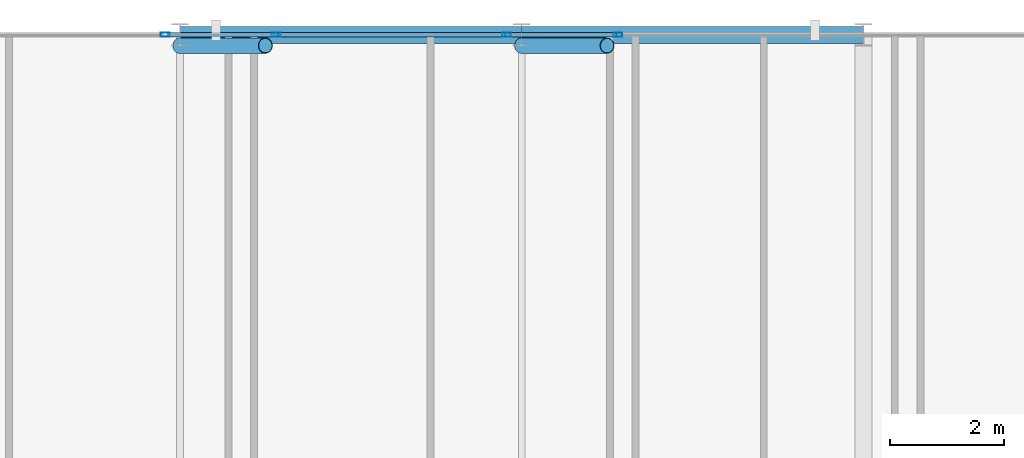
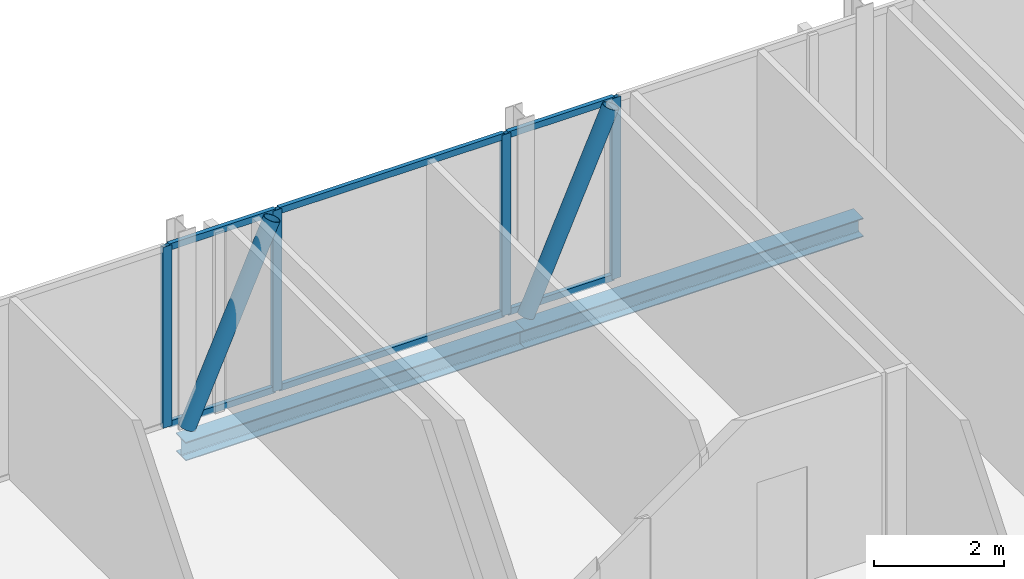
# One storey, part 17 of 28: 12 members, 2 beams, 4 elements without a shape of their own.
"""IFC4 building model written with IfcOpenShell, lengths in metres."""

from ifc_helpers import new_model, si_unit, direction, frame, origin, origin_2d, place, context, subcontext, project, spatial, hollow_rectangle, hollow_circle, i_section, extrude, material, layer, layer_set, material_profile, profile_set, type_object, element, aggregate, save


model = new_model("IFC4")

# Units and contexts
model_context = context("Model", 3, precision=1e-05, world=origin(), true_north=direction((0.0, 1.0)))
body_context = subcontext(model_context, "Body", "Model", "MODEL_VIEW")
ifc_project = project(units=[si_unit("LENGTHUNIT", "METRE"), si_unit("AREAUNIT", "SQUARE_METRE"), si_unit("VOLUMEUNIT", "CUBIC_METRE"), si_unit("PLANEANGLEUNIT", "RADIAN"), si_unit("MASSUNIT", "GRAM", prefix="KILO")], contexts=[model_context])

# Site, building, storey
site_placement = place(None, origin())
site = spatial("IfcSite", under=ifc_project, at=site_placement, CompositionType="ELEMENT")
building_placement = place(site_placement, origin())
building = spatial("IfcBuilding", under=site, at=building_placement, Name="Keshet Zoharim Tower", CompositionType="ELEMENT")
storey_placement = place(building_placement, frame((0.0, 0.0, 303.60009765625)))
storey = spatial("IfcBuildingStorey", under=building, at=storey_placement, Name="L76", CompositionType="ELEMENT", Elevation=303.60009765625)

# Beams
ifc_material_1 = material(Name="Steel S355", Category="steel")
ifc_material_profile_1 = material_profile(ifc_material_1, i_section(OverallWidth=0.300048828125, OverallDepth=0.35009765625, WebThickness=0.010009765625, FlangeThickness=0.017578125, FilletRadius=0.027099609375, at=origin_2d()), Name="HEA360")
ifc_profile_set_1 = profile_set([ifc_material_profile_1], Name="Steel S355")
beam_type = type_object("IfcBeamType", Name="BM-PRI-HA360", PredefinedType="BEAM", material=ifc_profile_set_1)
for number, where, z_axis, x_axis, name in (
    (1, (21.0, 53.89990234375, -0.485107421875), (1.0, 0.0, 0.0), (0.0, 1.0, 0.0), "L76 Primary Girder X-010"),
    (2, (27.0, 53.89990234375, -0.485107421875), (1.0, 0.0, 0.0), (0.0, 1.0, 0.0), "L76 Primary Girder X-011"),
):
    element("IfcBeam", number, at=place(storey_placement, frame(where, z_axis=z_axis, x_axis=x_axis)), inside=storey, type_object=beam_type, Name=name, PredefinedType="BEAM", context=body_context, shape_type="SweptSolid", body=[
        extrude(i_section(OverallWidth=0.300048828125, OverallDepth=0.35009765625, WebThickness=0.010009765625, FlangeThickness=0.017578125, FilletRadius=0.027099609375, at=origin_2d()), origin(), (0.0, 0.0, 1.0), 6.0),
    ])

# Curtain wall, member
ifc_material_2 = material(Name="Aluminium 6063-T6", Category="aluminium")
ifc_layer = layer(ifc_material_2, 0.260009765625)
ifc_layer_set = layer_set([ifc_layer], Name="Aluminium 6063-T6")
curtain_wall_type = type_object("IfcCurtainWallType", Name="CW-SYS-06", PredefinedType="NOTDEFINED", material=ifc_layer_set)
curtain_wall_1_placement = place(storey_placement, origin())
curtain_wall_1 = element("IfcCurtainWall", 3, at=curtain_wall_1_placement, inside=storey, type_object=curtain_wall_type, Name="L76 Unitised Curtain Wall 06", PredefinedType="NOTDEFINED")
ifc_material_profile_2 = material_profile(ifc_material_2, hollow_rectangle(XDim=0.074951171875, YDim=0.159912109375, WallThickness=0.00390625, at=origin_2d()), Name="MUL-75x160")
ifc_profile_set_2 = profile_set([ifc_material_profile_2], Name="Aluminium 6063-T6")
member_type_1 = type_object("IfcMemberType", Name="CWM-M15", PredefinedType="MULLION", material=ifc_profile_set_2)
member_1_placement = place(storey_placement, frame((20.740234375, 53.89990234375, 0.0), z_axis=(0.0, 0.0, 1.0), x_axis=(0.0, 1.0, 0.0)))
member_1 = element("IfcMember", 4, at=member_1_placement, type_object=member_type_1, Name="CW-06 mullion 2", PredefinedType="MULLION", context=body_context, shape_type="SweptSolid", body=[
    extrude(hollow_rectangle(XDim=0.074951171875, YDim=0.159912109375, WallThickness=0.00390625, at=origin_2d()), origin(), (0.0, 0.0, 1.0), 3.389892578125),
])
aggregate(curtain_wall_1, [member_1])

curtain_wall_2_placement = place(storey_placement, origin())
curtain_wall_2 = element("IfcCurtainWall", 5, at=curtain_wall_2_placement, inside=storey, type_object=curtain_wall_type, Name="L76 Unitised Curtain Wall 06 Part 2", PredefinedType="NOTDEFINED")
member_2_placement = place(storey_placement, frame((22.689697265625, 53.89990234375, 0.0), z_axis=(0.0, 0.0, 1.0), x_axis=(0.0, 1.0, 0.0)))
member_2 = element("IfcMember", 6, at=member_2_placement, type_object=member_type_1, Name="CW-06 mullion 2", PredefinedType="MULLION", context=body_context, shape_type="SweptSolid", body=[
    extrude(hollow_rectangle(XDim=0.074951171875, YDim=0.159912109375, WallThickness=0.00390625, at=origin_2d()), origin(), (0.0, 0.0, 1.0), 3.389892578125),
])

curtain_wall_3_placement = place(storey_placement, origin())
curtain_wall_3 = element("IfcCurtainWall", 7, at=curtain_wall_3_placement, inside=storey, type_object=curtain_wall_type, Name="L76 Unitised Curtain Wall 06 Part 3", PredefinedType="NOTDEFINED")
member_3_placement = place(storey_placement, frame((26.740234375, 53.89990234375, 0.0), z_axis=(0.0, 0.0, 1.0), x_axis=(0.0, 1.0, 0.0)))
member_3 = element("IfcMember", 8, at=member_3_placement, type_object=member_type_1, Name="CW-06 mullion 2", PredefinedType="MULLION", context=body_context, shape_type="SweptSolid", body=[
    extrude(hollow_rectangle(XDim=0.074951171875, YDim=0.159912109375, WallThickness=0.00390625, at=origin_2d()), origin(), (0.0, 0.0, 1.0), 3.389892578125),
])

curtain_wall_4_placement = place(storey_placement, origin())
curtain_wall_4 = element("IfcCurtainWall", 9, at=curtain_wall_4_placement, inside=storey, type_object=curtain_wall_type, Name="L76 Unitised Curtain Wall 06 Part 4", PredefinedType="NOTDEFINED")
member_4_placement = place(storey_placement, frame((28.689697265625, 53.89990234375, 0.0), z_axis=(0.0, 0.0, 1.0), x_axis=(0.0, 1.0, 0.0)))
member_4 = element("IfcMember", 10, at=member_4_placement, type_object=member_type_1, Name="CW-06 mullion 2", PredefinedType="MULLION", context=body_context, shape_type="SweptSolid", body=[
    extrude(hollow_rectangle(XDim=0.074951171875, YDim=0.159912109375, WallThickness=0.00390625, at=origin_2d()), origin(), (0.0, 0.0, 1.0), 3.389892578125),
])

# Member
ifc_material_profile_3 = material_profile(ifc_material_2, hollow_rectangle(XDim=0.074951171875, YDim=0.1201171875, WallThickness=0.00390625, at=origin_2d()), Name="TRN-75x120")
ifc_profile_set_3 = profile_set([ifc_material_profile_3], Name="Aluminium 6063-T6")
member_type_2 = type_object("IfcMemberType", Name="CWT-T12", PredefinedType="USERDEFINED", material=ifc_profile_set_3)
member_5_placement = place(storey_placement, frame((20.775146484375, 53.89990234375, 0.034912109375), z_axis=(1.0, 0.0, 0.0), x_axis=(0.0, 1.0, 0.0)))
member_5 = element("IfcMember", 11, at=member_5_placement, type_object=member_type_2, Name="CW-06 transom 1.1", ObjectType="TRANSOM", PredefinedType="USERDEFINED", context=body_context, shape_type="SweptSolid", body=[
    extrude(hollow_rectangle(XDim=0.074951171875, YDim=0.1201171875, WallThickness=0.00390625, at=origin_2d()), origin(), (0.0, 0.0, 1.0), 1.879638671875),
])

member_6_placement = place(storey_placement, frame((20.775146484375, 53.89990234375, 3.35498046875), z_axis=(1.0, 0.0, 0.0), x_axis=(0.0, 1.0, 0.0)))
member_6 = element("IfcMember", 12, at=member_6_placement, type_object=member_type_2, Name="CW-06 transom 1.2", ObjectType="TRANSOM", PredefinedType="USERDEFINED", context=body_context, shape_type="SweptSolid", body=[
    extrude(hollow_rectangle(XDim=0.074951171875, YDim=0.1201171875, WallThickness=0.00390625, at=origin_2d()), origin(), (0.0, 0.0, 1.0), 1.879638671875),
])

aggregate(curtain_wall_2, [member_2, member_5, member_6])

member_7_placement = place(storey_placement, frame((22.724853515625, 53.89990234375, 0.034912109375), z_axis=(1.0, 0.0, 0.0), x_axis=(0.0, 1.0, 0.0)))
member_7 = element("IfcMember", 13, at=member_7_placement, type_object=member_type_2, Name="CW-06 transom 1.1", ObjectType="TRANSOM", PredefinedType="USERDEFINED", context=body_context, shape_type="SweptSolid", body=[
    extrude(hollow_rectangle(XDim=0.074951171875, YDim=0.1201171875, WallThickness=0.00390625, at=origin_2d()), origin(), (0.0, 0.0, 1.0), 3.980224609375),
])

member_8_placement = place(storey_placement, frame((22.724853515625, 53.89990234375, 3.35498046875), z_axis=(1.0, 0.0, 0.0), x_axis=(0.0, 1.0, 0.0)))
member_8 = element("IfcMember", 14, at=member_8_placement, type_object=member_type_2, Name="CW-06 transom 1.2", ObjectType="TRANSOM", PredefinedType="USERDEFINED", context=body_context, shape_type="SweptSolid", body=[
    extrude(hollow_rectangle(XDim=0.074951171875, YDim=0.1201171875, WallThickness=0.00390625, at=origin_2d()), origin(), (0.0, 0.0, 1.0), 3.980224609375),
])

aggregate(curtain_wall_3, [member_3, member_7, member_8])

member_9_placement = place(storey_placement, frame((26.775146484375, 53.89990234375, 0.034912109375), z_axis=(1.0, 0.0, 0.0), x_axis=(0.0, 1.0, 0.0)))
member_9 = element("IfcMember", 15, at=member_9_placement, type_object=member_type_2, Name="CW-06 transom 1.1", ObjectType="TRANSOM", PredefinedType="USERDEFINED", context=body_context, shape_type="SweptSolid", body=[
    extrude(hollow_rectangle(XDim=0.074951171875, YDim=0.1201171875, WallThickness=0.00390625, at=origin_2d()), origin(), (0.0, 0.0, 1.0), 1.879638671875),
])

member_10_placement = place(storey_placement, frame((26.775146484375, 53.89990234375, 3.35498046875), z_axis=(1.0, 0.0, 0.0), x_axis=(0.0, 1.0, 0.0)))
member_10 = element("IfcMember", 16, at=member_10_placement, type_object=member_type_2, Name="CW-06 transom 1.2", ObjectType="TRANSOM", PredefinedType="USERDEFINED", context=body_context, shape_type="SweptSolid", body=[
    extrude(hollow_rectangle(XDim=0.074951171875, YDim=0.1201171875, WallThickness=0.00390625, at=origin_2d()), origin(), (0.0, 0.0, 1.0), 1.879638671875),
])

aggregate(curtain_wall_4, [member_4, member_9, member_10])

# Members
ifc_material_profile_4 = material_profile(ifc_material_1, hollow_circle(Radius=0.136474609375, WallThickness=0.010009765625, at=origin_2d()), Name="CHS273x10")
ifc_profile_set_4 = profile_set([ifc_material_profile_4], Name="Steel S355")
member_type_3 = type_object("IfcMemberType", Name="MB-BR-C273", PredefinedType="BRACE", material=ifc_profile_set_4)
for number, where, z_axis, x_axis, name in (
    (17, (21.0, 53.7099609375, 0.0), (0.40464689807, 0.0, 0.914473011019), (0.0, 1.0, 0.0), "L76 Perimeter Tube Brace 03"),
    (18, (27.0, 53.7099609375, 0.0), (0.40464689807, 0.0, 0.914473011019), (0.0, 1.0, 0.0), "L76 Perimeter Tube Brace 04"),
):
    element("IfcMember", number, at=place(storey_placement, frame(where, z_axis=z_axis, x_axis=x_axis)), inside=storey, type_object=member_type_3, Name=name, PredefinedType="BRACE", context=body_context, shape_type="SweptSolid", body=[
        extrude(hollow_circle(Radius=0.136474609375, WallThickness=0.010009765625, at=origin_2d()), origin(), (0.0, 0.0, 1.0), 3.70703125),
    ])

save(model, "model.ifc")
